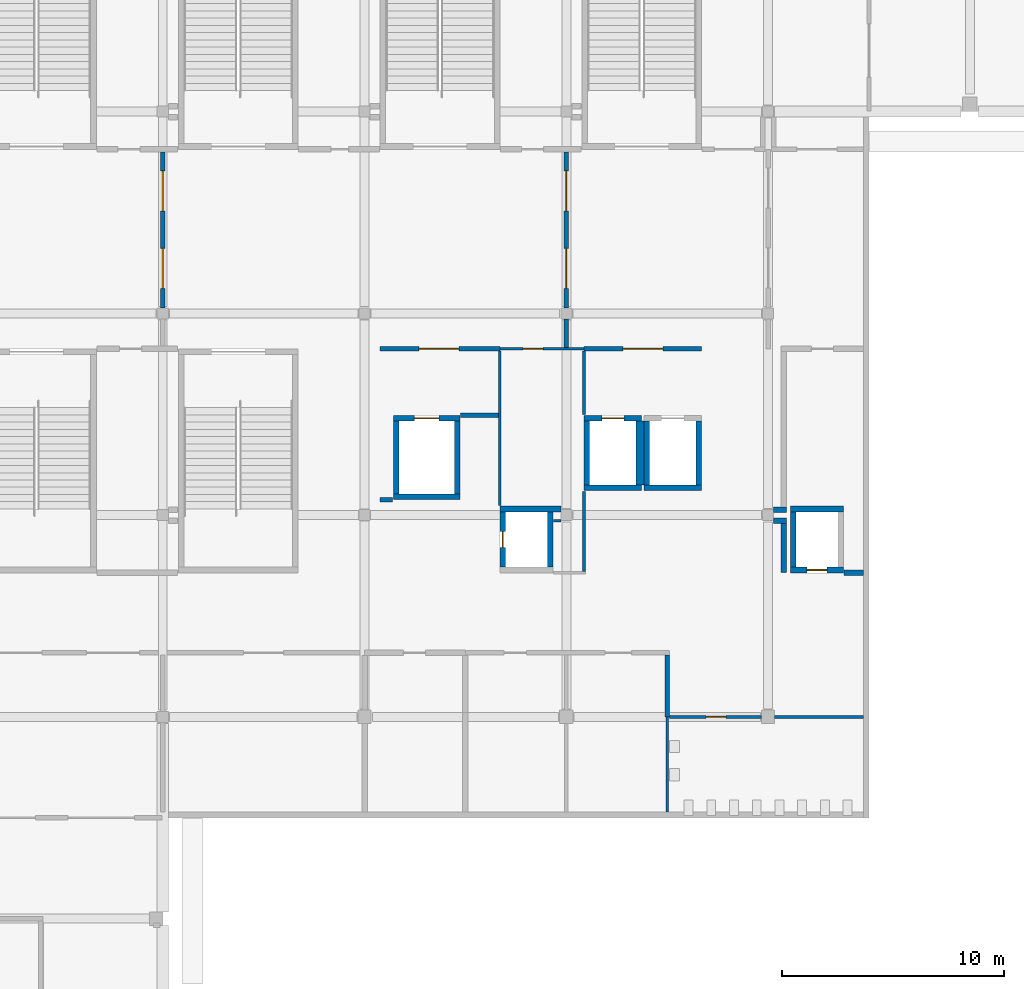
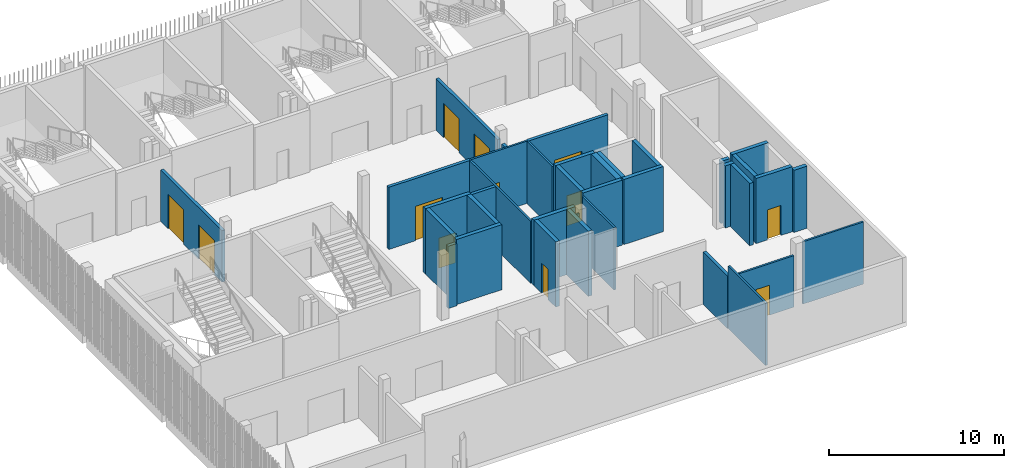
# One storey, part 48 of 91: 37 walls, 12 doors, 12 openings.
"""IFC4 building model written with IfcOpenShell, lengths in metres."""

from ifc_helpers import new_model, si_unit, direction, frame, frame_2d, origin, place, context, subcontext, project, spatial, rectangle, extrude, material, layer, layer_set, type_object, element, fill, save


model = new_model("IFC4")

# Units and contexts
model_context = context("Model", 3, precision=1e-05, world=origin(), true_north=direction((0.0, 1.0)))
body_context = subcontext(model_context, "Body", "Model", "MODEL_VIEW")
ifc_project = project(units=[si_unit("LENGTHUNIT", "METRE"), si_unit("AREAUNIT", "SQUARE_METRE"), si_unit("VOLUMEUNIT", "CUBIC_METRE"), si_unit("PLANEANGLEUNIT", "RADIAN"), si_unit("MASSUNIT", "GRAM", prefix="KILO")], contexts=[model_context])

# Site, building, storey
site_placement = place(None, origin())
site = spatial("IfcSite", under=ifc_project, at=site_placement, CompositionType="ELEMENT")
building_placement = place(site_placement, origin())
building = spatial("IfcBuilding", under=site, at=building_placement, Name="Shirokan Park Arena", CompositionType="ELEMENT")
storey_placement = place(building_placement, frame((0.0, 0.0, 24.570068359375)))
storey = spatial("IfcBuildingStorey", under=building, at=storey_placement, Name="L05", CompositionType="ELEMENT", Elevation=24.570068359375)

# Walls
ifc_material_1 = material(Name="Plaster")
ifc_layer_1 = layer(ifc_material_1, 0.014892578125, Name="Plaster")
ifc_material_2 = material(Name="Concrete blockwork", Category="masonry")
ifc_layer_2 = layer(ifc_material_2, 0.219970703125, Name="Concrete blockwork 220")
ifc_layer_3 = layer(ifc_material_1, 0.014892578125, Name="Plaster")
ifc_layer_set_1 = layer_set([ifc_layer_1, ifc_layer_2, ifc_layer_3], Name="Plaster + Concrete blockwork 220")
wall_type_1 = type_object("IfcWallType", Name="Compartment wall 250", PredefinedType="SOLIDWALL", material=ifc_layer_set_1)
wall_1_placement = place(storey_placement, frame((36.64990234375, 81.64990234375, 0.0), z_axis=(0.0, 0.0, 1.0), x_axis=(1.0, 0.0, 0.0)))
element("IfcWall", 1, at=wall_1_placement, inside=storey, type_object=wall_type_1, Name="Compartment wall 250 L05", PredefinedType="SOLIDWALL", context=body_context, shape_type="SweptSolid", body=[
    extrude(rectangle(XDim=0.5751953125, YDim=0.25, at=frame_2d((0.28759765625, 0.0))), origin(), (0.0, 0.0, 1.0), 4.349853515625),
])
wall_2_placement = place(storey_placement, frame((37.10009765625, 81.52490234375, 0.0), z_axis=(0.0, 0.0, 1.0), x_axis=(0.0, -1.0, 0.0)))
element("IfcWall", 2, at=wall_2_placement, inside=storey, type_object=wall_type_1, Name="Compartment wall 250 L05", PredefinedType="SOLIDWALL", context=body_context, shape_type="SweptSolid", body=[
    extrude(rectangle(XDim=2.224853515625, YDim=0.25, at=frame_2d((1.1123046875, 0.0))), origin(), (0.0, 0.0, 1.0), 4.349853515625),
])
wall_3_placement = place(storey_placement, frame((37.22509765625, 82.14990234375, 0.0), z_axis=(0.0, 0.0, 1.0), x_axis=(-1.0, 0.0, 0.0)))
element("IfcWall", 3, at=wall_3_placement, inside=storey, type_object=wall_type_1, Name="Compartment wall 250 L05", PredefinedType="SOLIDWALL", context=body_context, shape_type="SweptSolid", body=[
    extrude(rectangle(XDim=0.5751953125, YDim=0.25, at=frame_2d((0.28759765625, 0.0))), origin(), (0.0, 0.0, 1.0), 4.349853515625),
])
wall_4_placement = place(storey_placement, frame((40.699951171875, 79.300048828125, 0.0), z_axis=(0.0, 0.0, 1.0), x_axis=(-1.0, 0.0, 0.0)))
element("IfcWall", 4, at=wall_4_placement, inside=storey, type_object=wall_type_1, Name="Compartment wall 250 L05", PredefinedType="SOLIDWALL", context=body_context, shape_type="SweptSolid", body=[
    extrude(rectangle(XDim=0.869873046875, YDim=0.25, at=frame_2d((0.43505859375, 0.0))), origin(), (0.0, 0.0, 1.0), 4.349853515625),
])

# Wall, openings, doors
ifc_material_3 = material(Name="Gypsum board")
ifc_layer_4 = layer(ifc_material_3, 0.02490234375, Name="Gypsum board, two layers")
ifc_material_4 = material(Name="Mineral wool insulation")
ifc_layer_5 = layer(ifc_material_4, 0.14990234375, Name="Mineral wool insulation")
ifc_layer_6 = layer(ifc_material_3, 0.02490234375, Name="Gypsum board, two layers")
ifc_layer_set_2 = layer_set([ifc_layer_4, ifc_layer_5, ifc_layer_6], Name="Gypsum board, two layers + Mineral wool insulation")
wall_type_2 = type_object("IfcWallType", Name="Corridor wall 200", PredefinedType="PARTITIONING", material=ifc_layer_set_2)
wall_5_placement = place(storey_placement, frame((9.10009765625, 98.27490234375, 0.0), z_axis=(0.0, 0.0, 1.0), x_axis=(0.0, -1.0, 0.0)))
wall_5 = element("IfcWall", 5, at=wall_5_placement, inside=storey, type_object=wall_type_2, Name="Corridor wall 200 L05", PredefinedType="PARTITIONING", context=body_context, shape_type="SweptSolid", body=[
    extrude(rectangle(XDim=7.02490234375, YDim=0.199951171875, at=frame_2d((3.512451171875, 0.0))), origin(), (0.0, 0.0, 1.0), 3.599853515625),
])
opening_1_placement = place(wall_5_placement, frame((0.85009765625, 0.0, 0.0)))
opening_1 = element("IfcOpeningElement", 6, at=opening_1_placement, cuts=wall_5, Name="Opening D-5110", PredefinedType="OPENING", context=body_context, shape_type="SweptSolid", body=[
    extrude(rectangle(XDim=1.800048828125, YDim=2.39990234375, at=frame_2d((0.89990234375, 1.199951171875))), frame((0.0, 0.10986328125, 0.0), z_axis=(0.0, -1.0, 0.0), x_axis=(1.0, 0.0, 0.0)), (0.0, 0.0, 1.0), 0.219970703125),
])
opening_2_placement = place(wall_5_placement, frame((4.35009765625, 0.0, 0.0)))
opening_2 = element("IfcOpeningElement", 7, at=opening_2_placement, cuts=wall_5, Name="Opening D-5111", PredefinedType="OPENING", context=body_context, shape_type="SweptSolid", body=[
    extrude(rectangle(XDim=1.800048828125, YDim=2.39990234375, at=frame_2d((0.89990234375, 1.199951171875))), frame((0.0, 0.10986328125, 0.0), z_axis=(0.0, -1.0, 0.0), x_axis=(1.0, 0.0, 0.0)), (0.0, 0.0, 1.0), 0.219970703125),
])
ifc_material_5 = material(Name="Glazed steel door set, fire resisting", Category="steel")
door_type_1 = type_object("IfcDoorType", Name="Lift lobby door 1800 x 2400", OperationType="DOUBLE_DOOR_SINGLE_SWING", PredefinedType="DOOR", material=ifc_material_5)
door_1_placement = place(opening_1_placement, origin())
door_1 = element("IfcDoor", 8, at=door_1_placement, inside=storey, type_object=door_type_1, Name="Door between Retail Arcade 4.5.1 and Upper Concourse Lobby 4.5.2 D-5110", OperationType="DOUBLE_DOOR_SINGLE_SWING", OverallHeight=2.39990234375, OverallWidth=1.800048828125, PredefinedType="DOOR", context=body_context, shape_type="SweptSolid", body=[
    extrude(rectangle(XDim=1.800048828125, YDim=2.39990234375, at=frame_2d((0.89990234375, 1.199951171875))), frame((0.0, 0.02490234375, 0.0), z_axis=(0.0, -1.0, 0.0), x_axis=(1.0, 0.0, 0.0)), (0.0, 0.0, 1.0), 0.050048828125),
])
fill(opening_1, door_1)
door_2_placement = place(opening_2_placement, origin())
door_2 = element("IfcDoor", 9, at=door_2_placement, inside=storey, type_object=door_type_1, Name="Door between Retail Arcade 4.5.1 and Upper Concourse Lobby 4.5.2 D-5111", OperationType="DOUBLE_DOOR_SINGLE_SWING", OverallHeight=2.39990234375, OverallWidth=1.800048828125, PredefinedType="DOOR", context=body_context, shape_type="SweptSolid", body=[
    extrude(rectangle(XDim=1.800048828125, YDim=2.39990234375, at=frame_2d((0.89990234375, 1.199951171875))), frame((0.0, 0.02490234375, 0.0), z_axis=(0.0, -1.0, 0.0), x_axis=(1.0, 0.0, 0.0)), (0.0, 0.0, 1.0), 0.050048828125),
])
fill(opening_2, door_2)

# Walls
wall_6_placement = place(storey_placement, frame((19.469970703125, 82.60009765625, 0.0), z_axis=(0.0, 0.0, 1.0), x_axis=(-1.0, 0.0, 0.0)))
element("IfcWall", 10, at=wall_6_placement, inside=storey, type_object=wall_type_2, Name="Corridor wall 200 L05", PredefinedType="PARTITIONING", context=body_context, shape_type="SweptSolid", body=[
    extrude(rectangle(XDim=0.570068359375, YDim=0.199951171875, at=frame_2d((0.28515625, 0.0))), origin(), (0.0, 0.0, 1.0), 4.349853515625),
])
wall_7_placement = place(storey_placement, frame((24.237548828125, 86.39990234375, 0.0), z_axis=(0.0, 0.0, 1.0), x_axis=(-1.0, 0.0, 0.0)))
element("IfcWall", 11, at=wall_7_placement, inside=storey, type_object=wall_type_2, Name="Corridor wall 200 L05", PredefinedType="PARTITIONING", context=body_context, shape_type="SweptSolid", body=[
    extrude(rectangle(XDim=1.70751953125, YDim=0.199951171875, at=frame_2d((0.853759765625, 0.0))), origin(), (0.0, 0.0, 1.0), 4.349853515625),
])

# Wall, opening, door
wall_8_placement = place(storey_placement, frame((24.300048828125, 89.39990234375, 0.0), z_axis=(0.0, 0.0, 1.0), x_axis=(-1.0, 0.0, 0.0)))
wall_8 = element("IfcWall", 12, at=wall_8_placement, inside=storey, type_object=wall_type_2, Name="Corridor wall 200 L05", PredefinedType="PARTITIONING", context=body_context, shape_type="SweptSolid", body=[
    extrude(rectangle(XDim=5.400146484375, YDim=0.199951171875, at=frame_2d((2.7001953125, 0.0))), origin(), (0.0, 0.0, 1.0), 4.349853515625),
])
opening_3_placement = place(wall_8_placement, frame((1.85009765625, 0.0, 0.0)))
opening_3 = element("IfcOpeningElement", 13, at=opening_3_placement, cuts=wall_8, Name="Opening D-5114", PredefinedType="OPENING", context=body_context, shape_type="SweptSolid", body=[
    extrude(rectangle(XDim=1.800048828125, YDim=2.39990234375, at=frame_2d((0.89990234375, 1.199951171875))), frame((0.0, 0.10986328125, 0.0), z_axis=(0.0, -1.0, 0.0), x_axis=(1.0, 0.0, 0.0)), (0.0, 0.0, 1.0), 0.219970703125),
])
door_3_placement = place(opening_3_placement, origin())
door_3 = element("IfcDoor", 14, at=door_3_placement, inside=storey, type_object=door_type_1, Name="Door between Upper Concourse Lobby 4.5.2 and Service Lift Lobby 4.5 D-5114", OperationType="DOUBLE_DOOR_SINGLE_SWING", OverallHeight=2.39990234375, OverallWidth=1.800048828125, PredefinedType="DOOR", context=body_context, shape_type="SweptSolid", body=[
    extrude(rectangle(XDim=1.800048828125, YDim=2.39990234375, at=frame_2d((0.89990234375, 1.199951171875))), frame((0.0, 0.02490234375, 0.0), z_axis=(0.0, -1.0, 0.0), x_axis=(1.0, 0.0, 0.0)), (0.0, 0.0, 1.0), 0.050048828125),
])
fill(opening_3, door_3)

# Wall
wall_9_placement = place(storey_placement, frame((27.300048828125, 90.75, 0.0), z_axis=(0.0, 0.0, 1.0), x_axis=(0.0, -1.0, 0.0)))
element("IfcWall", 15, at=wall_9_placement, inside=storey, type_object=wall_type_2, Name="Corridor wall 200 L05", PredefinedType="PARTITIONING", context=body_context, shape_type="SweptSolid", body=[
    extrude(rectangle(XDim=1.28759765625, YDim=0.199951171875, at=frame_2d((0.643798828125, 0.0))), origin(), (0.0, 0.0, 1.0), 3.599853515625),
])

# Wall, openings, doors
wall_10_placement = place(storey_placement, frame((27.300048828125, 98.27490234375, 0.0), z_axis=(0.0, 0.0, 1.0), x_axis=(0.0, -1.0, 0.0)))
wall_10 = element("IfcWall", 16, at=wall_10_placement, inside=storey, type_object=wall_type_2, Name="Corridor wall 200 L05", PredefinedType="PARTITIONING", context=body_context, shape_type="SweptSolid", body=[
    extrude(rectangle(XDim=7.02490234375, YDim=0.199951171875, at=frame_2d((3.512451171875, 0.0))), origin(), (0.0, 0.0, 1.0), 3.599853515625),
])
opening_4_placement = place(wall_10_placement, frame((0.85009765625, 0.0, 0.0)))
opening_4 = element("IfcOpeningElement", 17, at=opening_4_placement, cuts=wall_10, Name="Opening D-5112", PredefinedType="OPENING", context=body_context, shape_type="SweptSolid", body=[
    extrude(rectangle(XDim=1.800048828125, YDim=2.39990234375, at=frame_2d((0.89990234375, 1.199951171875))), frame((0.0, 0.10986328125, 0.0), z_axis=(0.0, -1.0, 0.0), x_axis=(1.0, 0.0, 0.0)), (0.0, 0.0, 1.0), 0.219970703125),
])
opening_5_placement = place(wall_10_placement, frame((4.35009765625, 0.0, 0.0)))
opening_5 = element("IfcOpeningElement", 18, at=opening_5_placement, cuts=wall_10, Name="Opening D-5113", PredefinedType="OPENING", context=body_context, shape_type="SweptSolid", body=[
    extrude(rectangle(XDim=1.800048828125, YDim=2.39990234375, at=frame_2d((0.89990234375, 1.199951171875))), frame((0.0, 0.10986328125, 0.0), z_axis=(0.0, -1.0, 0.0), x_axis=(1.0, 0.0, 0.0)), (0.0, 0.0, 1.0), 0.219970703125),
])
door_4_placement = place(opening_4_placement, origin())
door_4 = element("IfcDoor", 19, at=door_4_placement, inside=storey, type_object=door_type_1, Name="Door between Upper Concourse Lobby 4.5.2 and Kiosk Court 4.5.3 D-5112", OperationType="DOUBLE_DOOR_SINGLE_SWING", OverallHeight=2.39990234375, OverallWidth=1.800048828125, PredefinedType="DOOR", context=body_context, shape_type="SweptSolid", body=[
    extrude(rectangle(XDim=1.800048828125, YDim=2.39990234375, at=frame_2d((0.89990234375, 1.199951171875))), frame((0.0, 0.02490234375, 0.0), z_axis=(0.0, -1.0, 0.0), x_axis=(1.0, 0.0, 0.0)), (0.0, 0.0, 1.0), 0.050048828125),
])
fill(opening_4, door_4)
door_5_placement = place(opening_5_placement, origin())
door_5 = element("IfcDoor", 20, at=door_5_placement, inside=storey, type_object=door_type_1, Name="Door between Upper Concourse Lobby 4.5.2 and Kiosk Court 4.5.3 D-5113", OperationType="DOUBLE_DOOR_SINGLE_SWING", OverallHeight=2.39990234375, OverallWidth=1.800048828125, PredefinedType="DOOR", context=body_context, shape_type="SweptSolid", body=[
    extrude(rectangle(XDim=1.800048828125, YDim=2.39990234375, at=frame_2d((0.89990234375, 1.199951171875))), frame((0.0, 0.02490234375, 0.0), z_axis=(0.0, -1.0, 0.0), x_axis=(1.0, 0.0, 0.0)), (0.0, 0.0, 1.0), 0.050048828125),
])
fill(opening_5, door_5)

# Wall
wall_11_placement = place(storey_placement, frame((31.85009765625, 75.60009765625, 0.0), z_axis=(0.0, 0.0, 1.0), x_axis=(0.0, -1.0, 0.0)))
element("IfcWall", 21, at=wall_11_placement, inside=storey, type_object=wall_type_2, Name="Corridor wall 200 L05", PredefinedType="PARTITIONING", context=body_context, shape_type="SweptSolid", body=[
    extrude(rectangle(XDim=2.800048828125, YDim=0.199951171875, at=frame_2d((1.39990234375, 0.0))), origin(), (0.0, 0.0, 1.0), 3.64990234375),
])

# Wall, opening, door
wall_12_placement = place(storey_placement, frame((33.39990234375, 89.39990234375, 0.0), z_axis=(0.0, 0.0, 1.0), x_axis=(-1.0, 0.0, 0.0)))
wall_12 = element("IfcWall", 22, at=wall_12_placement, inside=storey, type_object=wall_type_2, Name="Corridor wall 200 L05", PredefinedType="PARTITIONING", context=body_context, shape_type="SweptSolid", body=[
    extrude(rectangle(XDim=5.2998046875, YDim=0.199951171875, at=frame_2d((2.64990234375, 0.0))), origin(), (0.0, 0.0, 1.0), 4.349853515625),
])
opening_6_placement = place(wall_12_placement, frame((1.75, 0.0, 0.0)))
opening_6 = element("IfcOpeningElement", 23, at=opening_6_placement, cuts=wall_12, Name="Opening D-5117", PredefinedType="OPENING", context=body_context, shape_type="SweptSolid", body=[
    extrude(rectangle(XDim=1.800048828125, YDim=2.39990234375, at=frame_2d((0.89990234375, 1.199951171875))), frame((0.0, 0.10986328125, 0.0), z_axis=(0.0, -1.0, 0.0), x_axis=(1.0, 0.0, 0.0)), (0.0, 0.0, 1.0), 0.219970703125),
])
door_6_placement = place(opening_6_placement, origin())
door_6 = element("IfcDoor", 24, at=door_6_placement, inside=storey, type_object=door_type_1, Name="Door between Kiosk Court 4.5.3 and Lift Lobby 4.5 D-5117", OperationType="DOUBLE_DOOR_SINGLE_SWING", OverallHeight=2.39990234375, OverallWidth=1.800048828125, PredefinedType="DOOR", context=body_context, shape_type="SweptSolid", body=[
    extrude(rectangle(XDim=1.800048828125, YDim=2.39990234375, at=frame_2d((0.89990234375, 1.199951171875))), frame((0.0, 0.02490234375, 0.0), z_axis=(0.0, -1.0, 0.0), x_axis=(1.0, 0.0, 0.0)), (0.0, 0.0, 1.0), 0.050048828125),
])
fill(opening_6, door_6)

# Wall
ifc_material_6 = material(Name="Concrete C40/50", Category="concrete")
ifc_layer_7 = layer(ifc_material_6, 0.25)
ifc_layer_set_3 = layer_set([ifc_layer_7], Name="Concrete C40/50 250 mm")
wall_type_3 = type_object("IfcWallType", Name="RC shear wall 250", PredefinedType="SHEAR", material=ifc_layer_set_3)
wall_13_placement = place(storey_placement, frame((30.699951171875, 83.125, 0.0), z_axis=(0.0, 0.0, 1.0), x_axis=(-1.0, 0.0, 0.0)))
element("IfcWall", 25, at=wall_13_placement, inside=storey, type_object=wall_type_3, Name="Shaft wall Passenger Lift 4.1 S L05", PredefinedType="SHEAR", context=body_context, shape_type="SweptSolid", body=[
    extrude(rectangle(XDim=2.599853515625, YDim=0.25, at=frame_2d((1.2998046875, 0.0))), origin(), (0.0, 0.0, 1.0), 4.550048828125),
])

# Wall, opening, door
wall_14_placement = place(storey_placement, frame((30.699951171875, 86.27490234375, 0.0), z_axis=(0.0, 0.0, 1.0), x_axis=(-1.0, 0.0, 0.0)))
wall_14 = element("IfcWall", 26, at=wall_14_placement, inside=storey, type_object=wall_type_3, Name="Shaft wall Passenger Lift 4.1 N L05", PredefinedType="SHEAR", context=body_context, shape_type="SweptSolid", body=[
    extrude(rectangle(XDim=2.599853515625, YDim=0.25, at=frame_2d((1.2998046875, 0.0))), origin(), (0.0, 0.0, 1.0), 4.550048828125),
])
opening_7_placement = place(wall_14_placement, frame((0.800048828125, 0.0, 0.0)))
opening_7 = element("IfcOpeningElement", 27, at=opening_7_placement, cuts=wall_14, Name="Opening LD42", PredefinedType="OPENING", context=body_context, shape_type="SweptSolid", body=[
    extrude(rectangle(XDim=1.0, YDim=2.10009765625, at=frame_2d((0.5, 1.050048828125))), frame((0.0, 0.135009765625, 0.0), z_axis=(0.0, -1.0, 0.0), x_axis=(1.0, 0.0, 0.0)), (0.0, 0.0, 1.0), 0.27001953125),
])
ifc_material_7 = material(Name="Stainless steel", Category="steel")
door_type_2 = type_object("IfcDoorType", Name="Lift landing door 1000x2100", OperationType="DOUBLE_DOOR_SLIDING", PredefinedType="DOOR", material=ifc_material_7)
door_7_placement = place(opening_7_placement, origin())
door_7 = element("IfcDoor", 28, at=door_7_placement, inside=storey, type_object=door_type_2, Name="Lift landing door Passenger Lift 4.1 L05", OperationType="DOUBLE_DOOR_SLIDING", OverallHeight=2.10009765625, OverallWidth=1.0, PredefinedType="DOOR", context=body_context, shape_type="SweptSolid", body=[
    extrude(rectangle(XDim=1.0, YDim=2.10009765625, at=frame_2d((0.5, 1.050048828125))), frame((0.0, 0.02490234375, 0.0), z_axis=(0.0, -1.0, 0.0), x_axis=(1.0, 0.0, 0.0)), (0.0, 0.0, 1.0), 0.050048828125),
])
fill(opening_7, door_7)

# Walls
wall_15_placement = place(storey_placement, frame((28.22509765625, 86.14990234375, 0.0), z_axis=(0.0, 0.0, 1.0), x_axis=(0.0, -1.0, 0.0)))
element("IfcWall", 29, at=wall_15_placement, inside=storey, type_object=wall_type_3, Name="Shaft wall Passenger Lift 4.1 W L05", PredefinedType="SHEAR", context=body_context, shape_type="SweptSolid", body=[
    extrude(rectangle(XDim=2.89990234375, YDim=0.25, at=frame_2d((1.449951171875, 0.0))), origin(), (0.0, 0.0, 1.0), 4.550048828125),
])
wall_16_placement = place(storey_placement, frame((33.39990234375, 83.125, 0.0), z_axis=(0.0, 0.0, 1.0), x_axis=(-1.0, 0.0, 0.0)))
element("IfcWall", 30, at=wall_16_placement, inside=storey, type_object=wall_type_3, Name="Shaft wall Passenger Lift 4.2 S L05", PredefinedType="SHEAR", context=body_context, shape_type="SweptSolid", body=[
    extrude(rectangle(XDim=2.599853515625, YDim=0.25, at=frame_2d((1.2998046875, 0.0))), origin(), (0.0, 0.0, 1.0), 4.550048828125),
])
for number, where, z_axis, x_axis, name in (
    (31, (30.925048828125, 86.14990234375, 0.0), (0.0, 0.0, 1.0), (0.0, -1.0, 0.0), "Shaft wall Passenger Lift 4.2 W L05"),
    (32, (33.27490234375, 86.14990234375, 0.0), (0.0, 0.0, 1.0), (0.0, -1.0, 0.0), "Shaft wall Passenger Lift 4.2 E L05"),
):
    element("IfcWall", number, at=place(storey_placement, frame(where, z_axis=z_axis, x_axis=x_axis)), inside=storey, type_object=wall_type_3, Name=name, PredefinedType="SHEAR", context=body_context, shape_type="SweptSolid", body=[
        extrude(rectangle(XDim=2.89990234375, YDim=0.25, at=frame_2d((1.449951171875, 0.0))), origin(), (0.0, 0.0, 1.0), 4.550048828125),
    ])

# Wall, opening, door
wall_17_placement = place(storey_placement, frame((39.800048828125, 79.425048828125, 0.0), z_axis=(0.0, 0.0, 1.0), x_axis=(-1.0, 0.0, 0.0)))
wall_17 = element("IfcWall", 33, at=wall_17_placement, inside=storey, type_object=wall_type_3, Name="Shaft wall Services Riser 4.1 S L05", PredefinedType="SHEAR", context=body_context, shape_type="SweptSolid", body=[
    extrude(rectangle(XDim=2.400146484375, YDim=0.25, at=frame_2d((1.2001953125, 0.0))), origin(), (0.0, 0.0, 1.0), 4.550048828125),
])
opening_8_placement = place(wall_17_placement, frame((0.75, 0.0, 0.0)))
opening_8 = element("IfcOpeningElement", 34, at=opening_8_placement, cuts=wall_17, Name="Opening D-5130", PredefinedType="OPENING", context=body_context, shape_type="SweptSolid", body=[
    extrude(rectangle(XDim=0.89990234375, YDim=2.10009765625, at=frame_2d((0.449951171875, 1.050048828125))), frame((0.0, 0.135009765625, 0.0), z_axis=(0.0, -1.0, 0.0), x_axis=(1.0, 0.0, 0.0)), (0.0, 0.0, 1.0), 0.27001953125),
])
ifc_material_8 = material(Name="Steel door set, fire resisting", Category="steel")
door_type_3 = type_object("IfcDoorType", Name="Electrical riser door 900 x 2100", OperationType="SINGLE_SWING_LEFT", PredefinedType="DOOR", material=ifc_material_8)
door_8_placement = place(opening_8_placement, origin())
door_8 = element("IfcDoor", 35, at=door_8_placement, inside=storey, type_object=door_type_3, Name="Riser access door Services Riser 4.1 D-5130", OperationType="SINGLE_SWING_RIGHT", OverallHeight=2.10009765625, OverallWidth=0.89990234375, PredefinedType="DOOR", context=body_context, shape_type="SweptSolid", body=[
    extrude(rectangle(XDim=0.89990234375, YDim=2.10009765625, at=frame_2d((0.449951171875, 1.050048828125))), frame((0.0, 0.02490234375, 0.0), z_axis=(0.0, -1.0, 0.0), x_axis=(1.0, 0.0, 0.0)), (0.0, 0.0, 1.0), 0.050048828125),
])
fill(opening_8, door_8)

# Walls
wall_18_placement = place(storey_placement, frame((39.800048828125, 82.175048828125, 0.0), z_axis=(0.0, 0.0, 1.0), x_axis=(-1.0, 0.0, 0.0)))
element("IfcWall", 36, at=wall_18_placement, inside=storey, type_object=wall_type_3, Name="Shaft wall Services Riser 4.1 N L05", PredefinedType="SHEAR", context=body_context, shape_type="SweptSolid", body=[
    extrude(rectangle(XDim=2.400146484375, YDim=0.25, at=frame_2d((1.2001953125, 0.0))), origin(), (0.0, 0.0, 1.0), 4.550048828125),
])
wall_19_placement = place(storey_placement, frame((37.52490234375, 82.050048828125, 0.0), z_axis=(0.0, 0.0, 1.0), x_axis=(0.0, -1.0, 0.0)))
element("IfcWall", 37, at=wall_19_placement, inside=storey, type_object=wall_type_3, Name="Shaft wall Services Riser 4.1 W L05", PredefinedType="SHEAR", context=body_context, shape_type="SweptSolid", body=[
    extrude(rectangle(XDim=2.5, YDim=0.25, at=frame_2d((1.25, 0.0))), origin(), (0.0, 0.0, 1.0), 4.550048828125),
])
wall_20_placement = place(storey_placement, frame((27.050048828125, 82.175048828125, 0.0), z_axis=(0.0, 0.0, 1.0), x_axis=(-1.0, 0.0, 0.0)))
element("IfcWall", 38, at=wall_20_placement, inside=storey, type_object=wall_type_3, Name="Shaft wall Services Riser 4.2 N L05", PredefinedType="SHEAR", context=body_context, shape_type="SweptSolid", body=[
    extrude(rectangle(XDim=2.75, YDim=0.25, at=frame_2d((1.375, 0.0))), origin(), (0.0, 0.0, 1.0), 4.550048828125),
])

# Wall, opening, door
wall_21_placement = place(storey_placement, frame((24.425048828125, 82.050048828125, 0.0), z_axis=(0.0, 0.0, 1.0), x_axis=(0.0, -1.0, 0.0)))
wall_21 = element("IfcWall", 39, at=wall_21_placement, inside=storey, type_object=wall_type_3, Name="Shaft wall Services Riser 4.2 W L05", PredefinedType="SHEAR", context=body_context, shape_type="SweptSolid", body=[
    extrude(rectangle(XDim=2.5, YDim=0.25, at=frame_2d((1.25, 0.0))), origin(), (0.0, 0.0, 1.0), 4.550048828125),
])
opening_9_placement = place(wall_21_placement, frame((0.89990234375, 0.0, 0.0)))
opening_9 = element("IfcOpeningElement", 40, at=opening_9_placement, cuts=wall_21, Name="Opening D-5131", PredefinedType="OPENING", context=body_context, shape_type="SweptSolid", body=[
    extrude(rectangle(XDim=0.699951171875, YDim=2.10009765625, at=frame_2d((0.35009765625, 1.050048828125))), frame((0.0, 0.135009765625, 0.0), z_axis=(0.0, -1.0, 0.0), x_axis=(1.0, 0.0, 0.0)), (0.0, 0.0, 1.0), 0.27001953125),
])
door_type_4 = type_object("IfcDoorType", Name="Mechanical riser door 700 x 2100", OperationType="SINGLE_SWING_LEFT", PredefinedType="DOOR", material=ifc_material_8)
door_9_placement = place(opening_9_placement, origin())
door_9 = element("IfcDoor", 41, at=door_9_placement, inside=storey, type_object=door_type_4, Name="Riser access door Services Riser 4.2 D-5131", OperationType="SINGLE_SWING_LEFT", OverallHeight=2.10009765625, OverallWidth=0.699951171875, PredefinedType="DOOR", context=body_context, shape_type="SweptSolid", body=[
    extrude(rectangle(XDim=0.699951171875, YDim=2.10009765625, at=frame_2d((0.35009765625, 1.050048828125))), frame((0.0, 0.02490234375, 0.0), z_axis=(0.0, -1.0, 0.0), x_axis=(1.0, 0.0, 0.0)), (0.0, 0.0, 1.0), 0.050048828125),
])
fill(opening_9, door_9)

# Walls
wall_22_placement = place(storey_placement, frame((26.574951171875, 82.050048828125, 0.0), z_axis=(0.0, 0.0, 1.0), x_axis=(0.0, -1.0, 0.0)))
element("IfcWall", 42, at=wall_22_placement, inside=storey, type_object=wall_type_3, Name="Shaft wall Services Riser 4.2 E L05", PredefinedType="SHEAR", context=body_context, shape_type="SweptSolid", body=[
    extrude(rectangle(XDim=2.5, YDim=0.25, at=frame_2d((1.25, 0.0))), origin(), (0.0, 0.0, 1.0), 4.550048828125),
])
wall_23_placement = place(storey_placement, frame((22.5, 82.72509765625, 0.0), z_axis=(0.0, 0.0, 1.0), x_axis=(-1.0, 0.0, 0.0)))
element("IfcWall", 43, at=wall_23_placement, inside=storey, type_object=wall_type_3, Name="Shaft wall Service Lift 4 S L05", PredefinedType="SHEAR", context=body_context, shape_type="SweptSolid", body=[
    extrude(rectangle(XDim=3.0, YDim=0.25, at=frame_2d((1.5, 0.0))), origin(), (0.0, 0.0, 1.0), 4.550048828125),
])

# Wall, opening, door
wall_24_placement = place(storey_placement, frame((22.5, 86.27490234375, 0.0), z_axis=(0.0, 0.0, 1.0), x_axis=(-1.0, 0.0, 0.0)))
wall_24 = element("IfcWall", 44, at=wall_24_placement, inside=storey, type_object=wall_type_3, Name="Shaft wall Service Lift 4 N L05", PredefinedType="SHEAR", context=body_context, shape_type="SweptSolid", body=[
    extrude(rectangle(XDim=3.0, YDim=0.25, at=frame_2d((1.5, 0.0))), origin(), (0.0, 0.0, 1.0), 4.550048828125),
])
opening_10_placement = place(wall_24_placement, frame((0.949951171875, 0.0, 0.0)))
opening_10 = element("IfcOpeningElement", 45, at=opening_10_placement, cuts=wall_24, Name="Opening LD75", PredefinedType="OPENING", context=body_context, shape_type="SweptSolid", body=[
    extrude(rectangle(XDim=1.10009765625, YDim=2.10009765625, at=frame_2d((0.550048828125, 1.050048828125))), frame((0.0, 0.135009765625, 0.0), z_axis=(0.0, -1.0, 0.0), x_axis=(1.0, 0.0, 0.0)), (0.0, 0.0, 1.0), 0.27001953125),
])
door_type_5 = type_object("IfcDoorType", Name="Lift landing door 1100x2100", OperationType="DOUBLE_DOOR_SLIDING", PredefinedType="DOOR", material=ifc_material_7)
door_10_placement = place(opening_10_placement, origin())
door_10 = element("IfcDoor", 46, at=door_10_placement, inside=storey, type_object=door_type_5, Name="Lift landing door Service Lift 4 L05", OperationType="DOUBLE_DOOR_SLIDING", OverallHeight=2.10009765625, OverallWidth=1.10009765625, PredefinedType="DOOR", context=body_context, shape_type="SweptSolid", body=[
    extrude(rectangle(XDim=1.10009765625, YDim=2.10009765625, at=frame_2d((0.550048828125, 1.050048828125))), frame((0.0, 0.02490234375, 0.0), z_axis=(0.0, -1.0, 0.0), x_axis=(1.0, 0.0, 0.0)), (0.0, 0.0, 1.0), 0.050048828125),
])
fill(opening_10, door_10)

# Walls
for number, where, z_axis, x_axis, name in (
    (47, (19.625, 86.14990234375, 0.0), (0.0, 0.0, 1.0), (0.0, -1.0, 0.0), "Shaft wall Service Lift 4 W L05"),
    (48, (22.375, 86.14990234375, 0.0), (0.0, 0.0, 1.0), (0.0, -1.0, 0.0), "Shaft wall Service Lift 4 E L05"),
):
    element("IfcWall", number, at=place(storey_placement, frame(where, z_axis=z_axis, x_axis=x_axis)), inside=storey, type_object=wall_type_3, Name=name, PredefinedType="SHEAR", context=body_context, shape_type="SweptSolid", body=[
        extrude(rectangle(XDim=3.2998046875, YDim=0.25, at=frame_2d((1.64990234375, 0.0))), origin(), (0.0, 0.0, 1.0), 4.550048828125),
    ])
ifc_layer_8 = layer(ifc_material_6, 0.35009765625)
ifc_layer_set_4 = layer_set([ifc_layer_8], Name="Concrete C40/50 350 mm")
wall_type_4 = type_object("IfcWallType", Name="RC shear wall 350", PredefinedType="SHEAR", material=ifc_layer_set_4)
wall_25_placement = place(storey_placement, frame((30.625, 86.14990234375, 0.0), z_axis=(0.0, 0.0, 1.0), x_axis=(0.0, -1.0, 0.0)))
element("IfcWall", 49, at=wall_25_placement, inside=storey, type_object=wall_type_4, Name="Shaft wall Passenger Lift 4.1 E L05", PredefinedType="SHEAR", context=body_context, shape_type="SweptSolid", body=[
    extrude(rectangle(XDim=2.89990234375, YDim=0.35009765625, at=frame_2d((1.449951171875, 0.0))), origin(), (0.0, 0.0, 1.0), 4.550048828125),
])
ifc_material_9 = material(Name="Ceramic tile")
ifc_layer_9 = layer(ifc_material_9, 0.010009765625, Name="Ceramic tile")
ifc_material_10 = material(Name="Cement board")
ifc_layer_10 = layer(ifc_material_10, 0.012451171875, Name="Cement board")
ifc_layer_11 = layer(ifc_material_4, 0.080078125, Name="Mineral wool insulation")
ifc_layer_12 = layer(ifc_material_10, 0.012451171875, Name="Cement board")
ifc_layer_13 = layer(ifc_material_9, 0.010009765625, Name="Ceramic tile")
ifc_layer_set_5 = layer_set([ifc_layer_9, ifc_layer_10, ifc_layer_11, ifc_layer_12, ifc_layer_13], Name="Ceramic tile + Cement board + Mineral wool insulation")
wall_type_5 = type_object("IfcWallType", Name="Wet-area wall 125", PredefinedType="PARTITIONING", material=ifc_layer_set_5)
wall_26_placement = place(storey_placement, frame((24.300048828125, 82.330078125, 0.0), z_axis=(0.0, 0.0, 1.0), x_axis=(0.0, 1.0, 0.0)))
element("IfcWall", 50, at=wall_26_placement, inside=storey, type_object=wall_type_5, Name="Wet-area wall 125 L05", PredefinedType="PARTITIONING", context=body_context, shape_type="SweptSolid", body=[
    extrude(rectangle(XDim=6.969970703125, YDim=0.125, at=frame_2d((3.48486328125, 0.0))), origin(), (0.0, 0.0, 1.0), 4.349853515625),
])
wall_27_placement = place(storey_placement, frame((26.72998046875, 81.64990234375, 0.0), z_axis=(0.0, 0.0, 1.0), x_axis=(1.0, 0.0, 0.0)))
element("IfcWall", 51, at=wall_27_placement, inside=storey, type_object=wall_type_5, Name="Wet-area wall 125 L05", PredefinedType="PARTITIONING", context=body_context, shape_type="SweptSolid", body=[
    extrude(rectangle(XDim=0.320068359375, YDim=0.125, at=frame_2d((0.16015625, 0.0))), origin(), (0.0, 0.0, 1.0), 4.349853515625),
])

# Wall, opening, door
wall_28_placement = place(storey_placement, frame((24.300048828125, 89.39990234375, 0.0), z_axis=(0.0, 0.0, 1.0), x_axis=(1.0, 0.0, 0.0)))
wall_28 = element("IfcWall", 52, at=wall_28_placement, inside=storey, type_object=wall_type_5, Name="Wet-area wall 125 L05", PredefinedType="PARTITIONING", context=body_context, shape_type="SweptSolid", body=[
    extrude(rectangle(XDim=3.800048828125, YDim=0.125, at=frame_2d((1.89990234375, 0.0))), origin(), (0.0, 0.0, 1.0), 4.349853515625),
])
opening_11_placement = place(wall_28_placement, frame((1.050048828125, 0.0, 0.0)))
opening_11 = element("IfcOpeningElement", 53, at=opening_11_placement, cuts=wall_28, Name="Opening D-5034", PredefinedType="OPENING", context=body_context, shape_type="SweptSolid", body=[
    extrude(rectangle(XDim=0.89990234375, YDim=2.10009765625, at=frame_2d((0.449951171875, 1.050048828125))), frame((0.0, 0.072509765625, 0.0), z_axis=(0.0, -1.0, 0.0), x_axis=(1.0, 0.0, 0.0)), (0.0, 0.0, 1.0), 0.14501953125),
])
ifc_material_11 = material(Name="Timber door set, fire resisting", Category="wood")
door_type_6 = type_object("IfcDoorType", Name="Door 900 x 2100", OperationType="SINGLE_SWING_LEFT", PredefinedType="DOOR", material=ifc_material_11)
door_11_placement = place(opening_11_placement, origin())
door_11 = element("IfcDoor", 54, at=door_11_placement, inside=storey, type_object=door_type_6, Name="Door to Staff WC 5.48 D-5034", OperationType="SINGLE_SWING_LEFT", OverallHeight=2.10009765625, OverallWidth=0.89990234375, PredefinedType="DOOR", context=body_context, shape_type="SweptSolid", body=[
    extrude(rectangle(XDim=0.89990234375, YDim=2.10009765625, at=frame_2d((0.449951171875, 1.050048828125))), frame((0.0, 0.02490234375, 0.0), z_axis=(0.0, -1.0, 0.0), x_axis=(1.0, 0.0, 0.0)), (0.0, 0.0, 1.0), 0.050048828125),
])
fill(opening_11, door_11)

# Walls
wall_29_placement = place(storey_placement, frame((28.10009765625, 82.969970703125, 0.0), z_axis=(0.0, 0.0, 1.0), x_axis=(0.0, -1.0, 0.0)))
element("IfcWall", 55, at=wall_29_placement, inside=storey, type_object=wall_type_5, Name="Wet-area wall 125 L05", PredefinedType="PARTITIONING", context=body_context, shape_type="SweptSolid", body=[
    extrude(rectangle(XDim=3.607421875, YDim=0.125, at=frame_2d((1.8037109375, 0.0))), origin(), (0.0, 0.0, 1.0), 4.349853515625),
])
wall_30_placement = place(storey_placement, frame((28.10009765625, 89.300048828125, 0.0), z_axis=(0.0, 0.0, 1.0), x_axis=(0.0, -1.0, 0.0)))
element("IfcWall", 56, at=wall_30_placement, inside=storey, type_object=wall_type_5, Name="Wet-area wall 125 L05", PredefinedType="PARTITIONING", context=body_context, shape_type="SweptSolid", body=[
    extrude(rectangle(XDim=2.8701171875, YDim=0.125, at=frame_2d((1.43505859375, 0.0))), origin(), (0.0, 0.0, 1.0), 4.349853515625),
])
wall_31_placement = place(storey_placement, frame((31.85009765625, 72.800048828125, 0.0), z_axis=(0.0, 0.0, 1.0), x_axis=(0.0, -1.0, 0.0)))
element("IfcWall", 57, at=wall_31_placement, inside=storey, type_object=wall_type_5, Name="Wet-area wall 125 L05", PredefinedType="PARTITIONING", context=body_context, shape_type="SweptSolid", body=[
    extrude(rectangle(XDim=4.300048828125, YDim=0.125, at=frame_2d((2.14990234375, 0.0))), origin(), (0.0, 0.0, 1.0), 4.349853515625),
])

# Wall, opening, door
wall_32_placement = place(storey_placement, frame((31.949951171875, 72.800048828125, 0.0), z_axis=(0.0, 0.0, 1.0), x_axis=(1.0, 0.0, 0.0)))
wall_32 = element("IfcWall", 58, at=wall_32_placement, inside=storey, type_object=wall_type_5, Name="Wet-area wall 125 L05", PredefinedType="PARTITIONING", context=body_context, shape_type="SweptSolid", body=[
    extrude(rectangle(XDim=4.150146484375, YDim=0.125, at=frame_2d((2.0751953125, 0.0))), origin(), (0.0, 0.0, 1.0), 3.599853515625),
])
opening_12_placement = place(wall_32_placement, frame((1.64990234375, 0.0, 0.0)))
opening_12 = element("IfcOpeningElement", 59, at=opening_12_placement, cuts=wall_32, Name="Opening D-5043", PredefinedType="OPENING", context=body_context, shape_type="SweptSolid", body=[
    extrude(rectangle(XDim=0.89990234375, YDim=2.10009765625, at=frame_2d((0.449951171875, 1.050048828125))), frame((0.0, 0.072509765625, 0.0), z_axis=(0.0, -1.0, 0.0), x_axis=(1.0, 0.0, 0.0)), (0.0, 0.0, 1.0), 0.14501953125),
])
door_12_placement = place(opening_12_placement, origin())
door_12 = element("IfcDoor", 60, at=door_12_placement, inside=storey, type_object=door_type_6, Name="Door to Men's WC 5.45 D-5043", OperationType="SINGLE_SWING_RIGHT", OverallHeight=2.10009765625, OverallWidth=0.89990234375, PredefinedType="DOOR", context=body_context, shape_type="SweptSolid", body=[
    extrude(rectangle(XDim=0.89990234375, YDim=2.10009765625, at=frame_2d((0.449951171875, 1.050048828125))), frame((0.0, 0.02490234375, 0.0), z_axis=(0.0, -1.0, 0.0), x_axis=(1.0, 0.0, 0.0)), (0.0, 0.0, 1.0), 0.050048828125),
])
fill(opening_12, door_12)

# Wall
wall_33_placement = place(storey_placement, frame((36.699951171875, 72.800048828125, 0.0), z_axis=(0.0, 0.0, 1.0), x_axis=(1.0, 0.0, 0.0)))
element("IfcWall", 61, at=wall_33_placement, inside=storey, type_object=wall_type_5, Name="Wet-area wall 125 L05", PredefinedType="PARTITIONING", context=body_context, shape_type="SweptSolid", body=[
    extrude(rectangle(XDim=4.0, YDim=0.125, at=frame_2d((2.0, 0.0))), origin(), (0.0, 0.0, 1.0), 4.349853515625),
])

save(model, "model.ifc")
